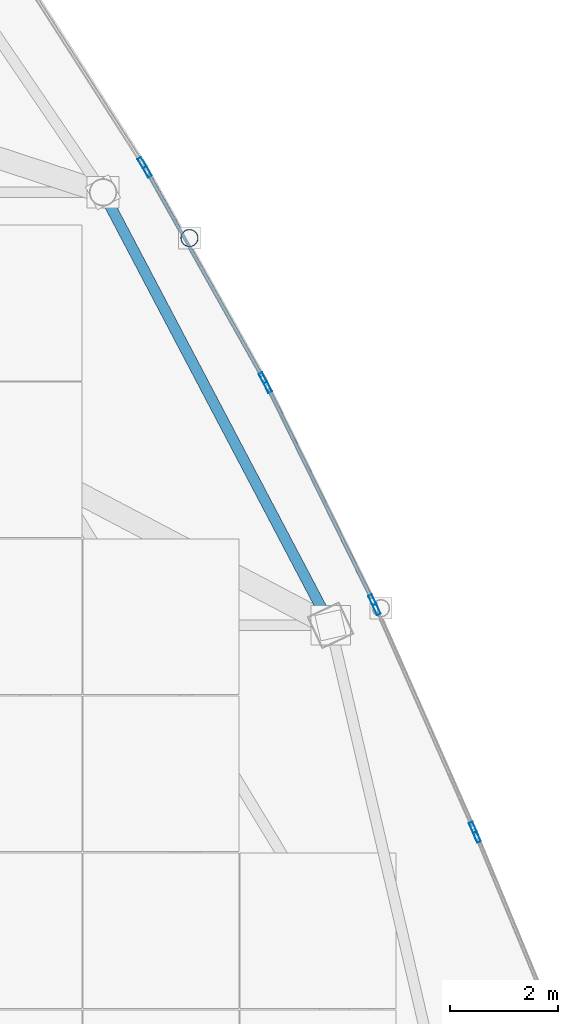
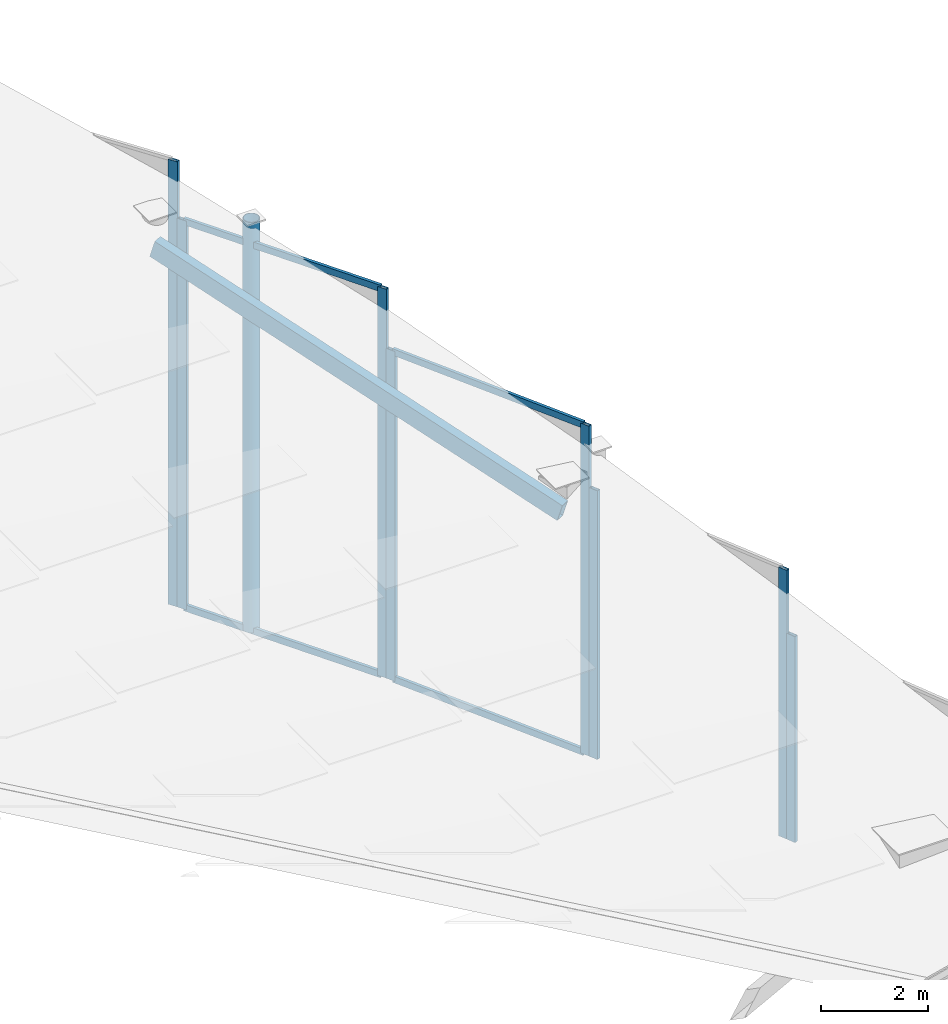
# One storey, part 13 of 21: 14 members, 5 elements without a shape of their own.
"""IFC4 building model written with IfcOpenShell, lengths in metres."""

from ifc_helpers import new_model, si_unit, direction, frame, origin, origin_2d, place, context, subcontext, project, spatial, hollow_rectangle, hollow_circle, extrude, material, layer, layer_set, material_profile, profile_set, type_object, element, aggregate, save


model = new_model("IFC4")

# Units and contexts
model_context = context("Model", 3, precision=1e-05, world=origin(), true_north=direction((0.0, 1.0)))
body_context = subcontext(model_context, "Body", "Model", "MODEL_VIEW")
ifc_project = project(units=[si_unit("LENGTHUNIT", "METRE"), si_unit("AREAUNIT", "SQUARE_METRE"), si_unit("VOLUMEUNIT", "CUBIC_METRE"), si_unit("PLANEANGLEUNIT", "RADIAN"), si_unit("MASSUNIT", "GRAM", prefix="KILO")], contexts=[model_context])

# Site, building, storey
site_placement = place(None, origin())
site = spatial("IfcSite", under=ifc_project, at=site_placement, CompositionType="ELEMENT")
building_placement = place(site_placement, origin())
building = spatial("IfcBuilding", under=site, at=building_placement, Name="Orvanel Arch Residences", CompositionType="ELEMENT")
storey_placement = place(building_placement, frame((0.0, 0.0, 314.89990234375)))
storey = spatial("IfcBuildingStorey", under=building, at=storey_placement, Name="RF", CompositionType="ELEMENT", Elevation=314.89990234375)

# Curtain wall, member
ifc_material_1 = material(Name="Bronze-anodised aluminium AA6063-T6", Category="aluminium")
ifc_layer = layer(ifc_material_1, 0.2099609375)
ifc_layer_set = layer_set([ifc_layer], Name="Bronze-anodised aluminium AA6063-T6")
curtain_wall_type = type_object("IfcCurtainWallType", Name="CW7-TOP-SYS", PredefinedType="NOTDEFINED", material=ifc_layer_set)
curtain_wall_1_placement = place(storey_placement, origin())
curtain_wall_1 = element("IfcCurtainWall", 1, at=curtain_wall_1_placement, inside=storey, type_object=curtain_wall_type, Name="RF CW7-TOP-SYS Unitised Curtain Wall", PredefinedType="NOTDEFINED")
ifc_material_profile_1 = material_profile(ifc_material_1, hollow_rectangle(XDim=0.074951171875, YDim=0.199951171875, WallThickness=0.0048828125, at=origin_2d()), Name="ALU200x75x5")
ifc_profile_set_1 = profile_set([ifc_material_profile_1], Name="Bronze-anodised aluminium AA6063-T6")
member_type_1 = type_object("IfcMemberType", Name="MUL-200x75", PredefinedType="MULLION", material=ifc_profile_set_1)
member_1_placement = place(storey_placement, frame((52.33935546875, 15.73046875, 0.0), z_axis=(0.0, 0.0, 1.0), x_axis=(-0.923636318254, -0.38327007658, 0.0)))
member_1 = element("IfcMember", 2, at=member_1_placement, type_object=member_type_1, Name="CW-S7 mullion 2", PredefinedType="MULLION", context=body_context, shape_type="SweptSolid", body=[
    extrude(hollow_rectangle(XDim=0.074951171875, YDim=0.199951171875, WallThickness=0.0048828125, at=origin_2d()), origin(), (0.0, 0.0, 1.0), 4.713134765625),
])
aggregate(curtain_wall_1, [member_1])

# Curtain wall, members
curtain_wall_2_placement = place(storey_placement, origin())
curtain_wall_2 = element("IfcCurtainWall", 3, at=curtain_wall_2_placement, inside=storey, type_object=curtain_wall_type, Name="RF CW7-TOP-SYS Unitised Curtain Wall", PredefinedType="NOTDEFINED")
member_2_placement = place(storey_placement, frame((52.262939453125, 15.909423828125, 0.0), z_axis=(0.0, 0.0, 1.0), x_axis=(-0.914859510955, -0.403772306151, 0.0)))
member_2 = element("IfcMember", 4, at=member_2_placement, type_object=member_type_1, Name="CW-S7 mullion 1", PredefinedType="MULLION", context=body_context, shape_type="SweptSolid", body=[
    extrude(hollow_rectangle(XDim=0.074951171875, YDim=0.199951171875, WallThickness=0.0048828125, at=origin_2d()), origin(), (0.0, 0.0, 1.0), 6.148193359375),
])
member_3_placement = place(storey_placement, frame((50.487060546875, 19.9326171875, 0.0), z_axis=(0.0, 0.0, 1.0), x_axis=(-0.914859510955, -0.403772306151, 0.0)))
member_3 = element("IfcMember", 5, at=member_3_placement, type_object=member_type_1, Name="CW-S7 mullion 2", PredefinedType="MULLION", context=body_context, shape_type="SweptSolid", body=[
    extrude(hollow_rectangle(XDim=0.074951171875, YDim=0.199951171875, WallThickness=0.0048828125, at=origin_2d()), origin(), (0.0, 0.0, 1.0), 6.148193359375),
])
aggregate(curtain_wall_2, [member_2, member_3])

curtain_wall_3_placement = place(storey_placement, origin())
curtain_wall_3 = element("IfcCurtainWall", 6, at=curtain_wall_3_placement, inside=storey, type_object=curtain_wall_type, Name="RF CW7-TOP-SYS Unitised Curtain Wall", PredefinedType="NOTDEFINED")
member_4_placement = place(storey_placement, frame((50.405517578125, 20.109619140625, 0.0), z_axis=(0.0, 0.0, 1.0), x_axis=(-0.897504434284, -0.441005431305, 0.0)))
member_4 = element("IfcMember", 7, at=member_4_placement, type_object=member_type_1, Name="CW-S7 mullion 1", PredefinedType="MULLION", context=body_context, shape_type="SweptSolid", body=[
    extrude(hollow_rectangle(XDim=0.074951171875, YDim=0.199951171875, WallThickness=0.0048828125, at=origin_2d()), origin(), (0.0, 0.0, 1.0), 7.548095703125),
])
member_5_placement = place(storey_placement, frame((48.474609375, 24.039306640625, 0.0), z_axis=(0.0, 0.0, 1.0), x_axis=(-0.897504434284, -0.441005431305, 0.0)))
member_5 = element("IfcMember", 8, at=member_5_placement, type_object=member_type_1, Name="CW-S7 mullion 2", PredefinedType="MULLION", context=body_context, shape_type="SweptSolid", body=[
    extrude(hollow_rectangle(XDim=0.074951171875, YDim=0.199951171875, WallThickness=0.0048828125, at=origin_2d()), origin(), (0.0, 0.0, 1.0), 7.548095703125),
])

curtain_wall_4_placement = place(storey_placement, origin())
curtain_wall_4 = element("IfcCurtainWall", 9, at=curtain_wall_4_placement, inside=storey, type_object=curtain_wall_type, Name="RF CW7-TOP-SYS Unitised Curtain Wall", PredefinedType="NOTDEFINED")
member_6_placement = place(storey_placement, frame((48.384765625, 24.211669921875, 0.0), z_axis=(0.0, 0.0, 1.0), x_axis=(-0.872302385921, -0.488966816375, 0.0)))
member_6 = element("IfcMember", 10, at=member_6_placement, type_object=member_type_1, Name="CW-S7 mullion 1", PredefinedType="MULLION", context=body_context, shape_type="SweptSolid", body=[
    extrude(hollow_rectangle(XDim=0.074951171875, YDim=0.199951171875, WallThickness=0.0048828125, at=origin_2d()), origin(), (0.0, 0.0, 1.0), 8.89599609375),
])
member_7_placement = place(storey_placement, frame((46.250244140625, 28.019287109375, 0.0), z_axis=(0.0, 0.0, 1.0), x_axis=(-0.872302385921, -0.488966816375, 0.0)))
member_7 = element("IfcMember", 11, at=member_7_placement, type_object=member_type_1, Name="CW-S7 mullion 2", PredefinedType="MULLION", context=body_context, shape_type="SweptSolid", body=[
    extrude(hollow_rectangle(XDim=0.074951171875, YDim=0.199951171875, WallThickness=0.0048828125, at=origin_2d()), origin(), (0.0, 0.0, 1.0), 8.89599609375),
])

# Curtain wall, member
curtain_wall_5_placement = place(storey_placement, origin())
curtain_wall_5 = element("IfcCurtainWall", 12, at=curtain_wall_5_placement, inside=storey, type_object=curtain_wall_type, Name="RF CW7-TOP-SYS Unitised Curtain Wall", PredefinedType="NOTDEFINED")
member_8_placement = place(storey_placement, frame((46.15087890625, 28.1865234375, 0.0), z_axis=(0.0, 0.0, 1.0), x_axis=(-0.841866013197, -0.539686590369, 0.0)))
member_8 = element("IfcMember", 13, at=member_8_placement, type_object=member_type_1, Name="CW-S7 mullion 1", PredefinedType="MULLION", context=body_context, shape_type="SweptSolid", body=[
    extrude(hollow_rectangle(XDim=0.074951171875, YDim=0.199951171875, WallThickness=0.0048828125, at=origin_2d()), origin(), (0.0, 0.0, 1.0), 10.18115234375),
])
aggregate(curtain_wall_5, [member_8])

# Members
ifc_material_2 = material(Name="Structural steel AS/NZS 1163 C350L0 (Grade 350)", Category="steel")
ifc_material_profile_2 = material_profile(ifc_material_2, hollow_rectangle(XDim=0.199951171875, YDim=0.39990234375, WallThickness=0.012451171875, at=origin_2d()), Name="RHS400x200x12.5")
ifc_profile_set_2 = profile_set([ifc_material_profile_2], Name="Structural steel AS/NZS 1163 C350L0 (Grade 350)")
member_type_2 = type_object("IfcMemberType", Name="RF-400RHS-EXT", PredefinedType="RAFTER", material=ifc_profile_set_2)
member_9_placement = place(storey_placement, frame((49.633056640625, 19.64208984375, 6.112060546875), z_axis=(-0.446040509289, 0.84906293553, 0.283090083864), x_axis=(-0.885276660942, -0.465064762793, 0.0)))
element("IfcMember", 14, at=member_9_placement, inside=storey, type_object=member_type_2, Name="RF Slanted Crown Outer Rim Rafter 08", PredefinedType="RAFTER", context=body_context, shape_type="SweptSolid", body=[
    extrude(hollow_rectangle(XDim=0.199951171875, YDim=0.39990234375, WallThickness=0.012451171875, at=origin_2d()), origin(), (0.0, 0.0, 1.0), 9.4208984375),
])
ifc_material_profile_3 = material_profile(ifc_material_2, hollow_circle(Radius=0.162109375, WallThickness=0.0126953125, at=origin_2d()), Name="CHS324x12.7")
ifc_profile_set_3 = profile_set([ifc_material_profile_3], Name="Structural steel AS/NZS 1163 C350L0 (Grade 350)")
member_type_3 = type_object("IfcMemberType", Name="ST-324CHS-EXT", PredefinedType="STRUT", material=ifc_profile_set_3)
member_10_placement = place(storey_placement, frame((47.027099609375, 26.7958984375, 0.0), z_axis=(0.0, 0.0, 1.0), x_axis=(1.0, 0.0, 0.0)))
element("IfcMember", 15, at=member_10_placement, inside=storey, type_object=member_type_3, Name="RF Crown Outer Perimeter Frame Post 10", PredefinedType="STRUT", context=body_context, shape_type="SweptSolid", body=[
    extrude(hollow_circle(Radius=0.162109375, WallThickness=0.0126953125, at=origin_2d()), origin(), (0.0, 0.0, 1.0), 9.38720703125),
])

# Member
ifc_material_profile_4 = material_profile(ifc_material_1, hollow_rectangle(XDim=0.06494140625, YDim=0.14990234375, WallThickness=0.00390625, at=origin_2d()), Name="ALU150x65x4")
ifc_profile_set_4 = profile_set([ifc_material_profile_4], Name="Bronze-anodised aluminium AA6063-T6")
member_type_4 = type_object("IfcMemberType", Name="TRN-150x65", PredefinedType="USERDEFINED", material=ifc_profile_set_4)
member_11_placement = place(storey_placement, frame((50.388916015625, 20.143310546875, 0.03271484375), z_axis=(-0.441030561041, 0.897492085886, 0.0), x_axis=(-0.897492085886, -0.441030561041, 0.0)))
member_11 = element("IfcMember", 16, at=member_11_placement, type_object=member_type_4, Name="CW-S7 transom 1.1", ObjectType="TRANSOM", PredefinedType="USERDEFINED", context=body_context, shape_type="SweptSolid", body=[
    extrude(hollow_rectangle(XDim=0.06494140625, YDim=0.14990234375, WallThickness=0.00390625, at=origin_2d()), origin(), (0.0, 0.0, 1.0), 4.303466796875),
])

member_12_placement = place(storey_placement, frame((50.388916015625, 20.143310546875, 7.515625), z_axis=(-0.441030561041, 0.897492085886, 0.0), x_axis=(-0.897492085886, -0.441030561041, 0.0)))
member_12 = element("IfcMember", 17, at=member_12_placement, type_object=member_type_4, Name="CW-S7 transom 1.2", ObjectType="TRANSOM", PredefinedType="USERDEFINED", context=body_context, shape_type="SweptSolid", body=[
    extrude(hollow_rectangle(XDim=0.06494140625, YDim=0.14990234375, WallThickness=0.00390625, at=origin_2d()), origin(), (0.0, 0.0, 1.0), 4.303466796875),
])

aggregate(curtain_wall_3, [member_4, member_5, member_11, member_12])

member_13_placement = place(storey_placement, frame((48.3662109375, 24.244384765625, 0.03271484375), z_axis=(-0.488963775224, 0.872304090623, 0.0), x_axis=(-0.872304090623, -0.488963775224, 0.0)))
member_13 = element("IfcMember", 18, at=member_13_placement, type_object=member_type_4, Name="CW-S7 transom 1.1", ObjectType="TRANSOM", PredefinedType="USERDEFINED", context=body_context, shape_type="SweptSolid", body=[
    extrude(hollow_rectangle(XDim=0.06494140625, YDim=0.14990234375, WallThickness=0.00390625, at=origin_2d()), origin(), (0.0, 0.0, 1.0), 4.2900390625),
])

member_14_placement = place(storey_placement, frame((48.3662109375, 24.244384765625, 8.863525390625), z_axis=(-0.488963775224, 0.872304090623, 0.0), x_axis=(-0.872304090623, -0.488963775224, 0.0)))
member_14 = element("IfcMember", 19, at=member_14_placement, type_object=member_type_4, Name="CW-S7 transom 1.2", ObjectType="TRANSOM", PredefinedType="USERDEFINED", context=body_context, shape_type="SweptSolid", body=[
    extrude(hollow_rectangle(XDim=0.06494140625, YDim=0.14990234375, WallThickness=0.00390625, at=origin_2d()), origin(), (0.0, 0.0, 1.0), 4.2900390625),
])

aggregate(curtain_wall_4, [member_6, member_7, member_13, member_14])

save(model, "model.ifc")
